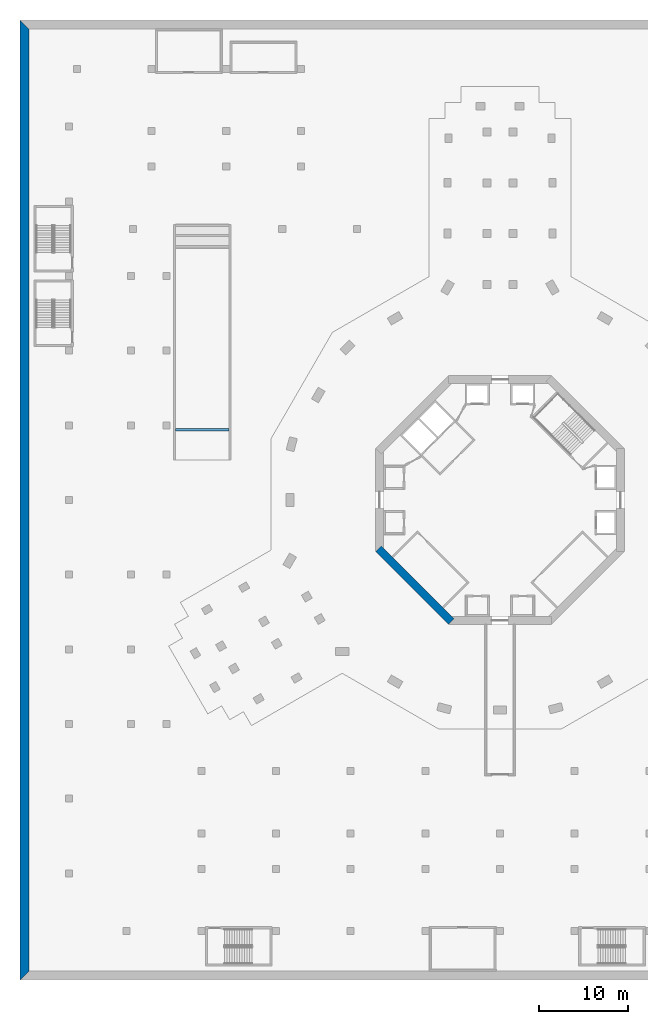
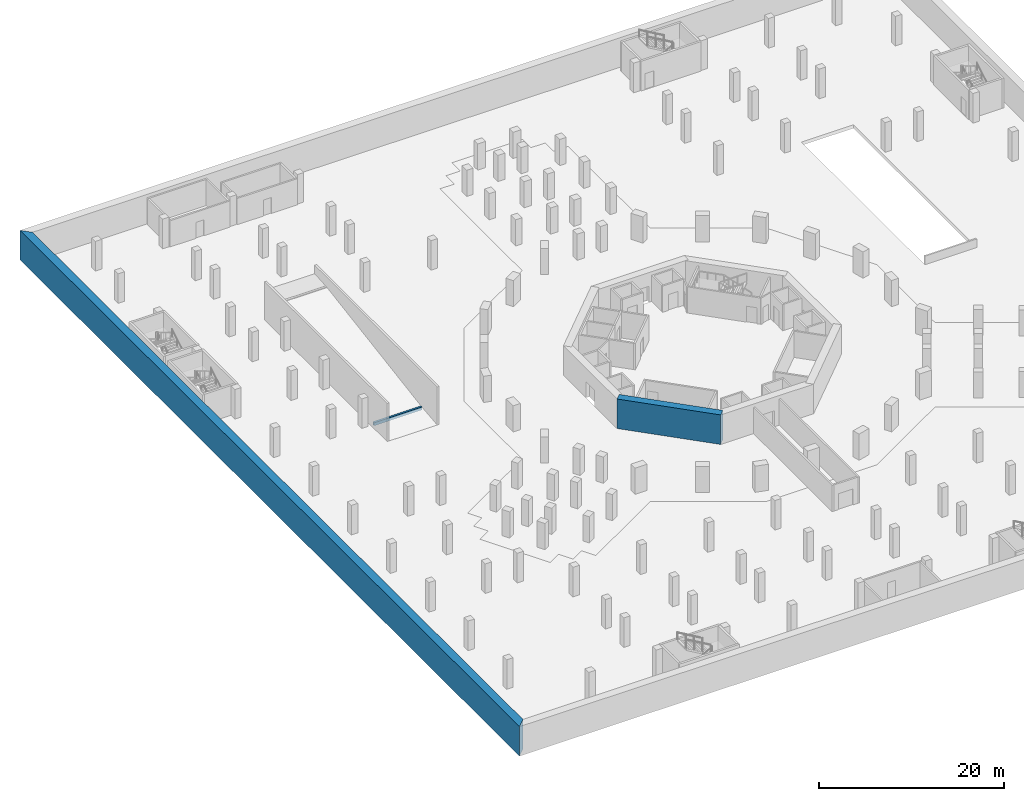
# One storey, part 6 of 25: 3 walls.
"""IFC4 building model written with IfcOpenShell, lengths in metres."""

import ifcopenshell
import ifcopenshell.guid

model = None  # the IFC model being written
_history = None  # IfcOwnerHistory: only IFC2X3 demands one
_inside = {}  # id of a spatial element -> (the spatial element, [elements in it])
_under = {}  # id of a project, library or spatial element -> (it, [spatial elements below it])
_declared = {}  # id of a project -> (the project, [libraries it declares])
_typed = {}  # id of a type object -> (the type object, [elements of that type])
_made_of = {}  # id of a material, layer set ... -> (it, [elements and type objects made of it])


def new_model(schema):
    """Start an empty IFC model of exactly this schema.

    Asked for "IFC4X3", IfcOpenShell would pick the latest addendum, in which some entities
    have other attributes; the version numbers below select the first issue.
    IFC2X3 requires an IfcOwnerHistory on every rooted entity: one is made here for all.
    """
    global model, _history
    if schema == "IFC4X3":
        model = ifcopenshell.file(schema_version=(4, 3, 0, 0))
    else:
        model = ifcopenshell.file(schema=schema)
    _inside.clear()
    _under.clear()
    _declared.clear()
    _typed.clear()
    _made_of.clear()
    _history = None
    if model.schema == "IFC2X3":
        org = make("IfcOrganization", Name="unknown")
        user = make(
            "IfcPersonAndOrganization",
            ThePerson=make("IfcPerson", FamilyName="unknown"),
            TheOrganization=org,
        )
        app = make(
            "IfcApplication",
            ApplicationDeveloper=org,
            Version="unknown",
            ApplicationFullName="unknown",
            ApplicationIdentifier="unknown",
        )
        _history = make(
            "IfcOwnerHistory",
            OwningUser=user,
            OwningApplication=app,
            ChangeAction="ADDED",
            CreationDate=0,
        )
    return model


def make(cls, **values):
    """One entity of the class cls with the attributes given. An attribute that is None is left unset."""
    return model.create_entity(
        cls, **{name: value for name, value in values.items() if value is not None}
    )


def rooted(cls, **values):
    """An entity with a GlobalId (a new one), such as an element, a storey or a relation."""
    return make(cls, GlobalId=ifcopenshell.guid.new(), OwnerHistory=_history, **values)


def si_unit(unit_type, name, prefix=None):
    """IfcSIUnit, for example si_unit("LENGTHUNIT", "METRE", prefix="MILLI")."""
    return make("IfcSIUnit", UnitType=unit_type, Prefix=prefix, Name=name)


def assignment(units):
    """IfcUnitAssignment: the units of a project."""
    return None if units is None else make("IfcUnitAssignment", Units=units)


def point(xyz):
    """IfcCartesianPoint."""
    return None if xyz is None else make("IfcCartesianPoint", Coordinates=xyz)


def direction(xyz):
    """IfcDirection."""
    return None if xyz is None else make("IfcDirection", DirectionRatios=xyz)


def frame(location, z_axis=None, x_axis=None):
    """IfcAxis2Placement3D, a coordinate frame: its origin and axes. An axis left out is left unset."""
    return make(
        "IfcAxis2Placement3D",
        Location=point(location),
        Axis=direction(z_axis),
        RefDirection=direction(x_axis),
    )


def frame_2d(location, x_axis=None):
    """IfcAxis2Placement2D, a coordinate frame in the plane: its origin and x axis."""
    return make(
        "IfcAxis2Placement2D", Location=point(location), RefDirection=direction(x_axis)
    )


def origin():
    """The frame at (0, 0, 0) with its axes left unset."""
    return frame((0.0, 0.0, 0.0))


def place(relative_to, where):
    """IfcLocalPlacement: puts the frame where relative to a parent placement (None: the world)."""
    return make(
        "IfcLocalPlacement", PlacementRelTo=relative_to, RelativePlacement=where
    )


def context(
    kind, dimensions, precision=None, world=None, true_north=None, identifier=None
):
    """IfcGeometricRepresentationContext, for example the 3D "Model" context."""
    return make(
        "IfcGeometricRepresentationContext",
        ContextIdentifier=identifier,
        ContextType=kind,
        CoordinateSpaceDimension=dimensions,
        Precision=precision,
        WorldCoordinateSystem=world,
        TrueNorth=true_north,
    )


def subcontext(parent, identifier, kind, view, scale=None):
    """IfcGeometricRepresentationSubContext, for example "Body" below "Model"."""
    return make(
        "IfcGeometricRepresentationSubContext",
        ContextIdentifier=identifier,
        ContextType=kind,
        ParentContext=parent,
        TargetScale=scale,
        TargetView=view,
    )


def project(units=None, contexts=None):
    """IfcProject with its units and contexts."""
    return rooted(
        "IfcProject",
        Name="project",
        RepresentationContexts=contexts,
        UnitsInContext=assignment(units),
    )


def spatial(cls, under=None, at=None, **own):
    """A site, building, storey or space (cls), placed at a placement, below another one or the project."""
    s = rooted(cls, ObjectPlacement=at, **own)
    if under is not None:
        _under.setdefault(under.id(), (under, []))[1].append(s)
    return s


def polyline(points):
    """IfcPolyline through the points."""
    return make("IfcPolyline", Points=[point(p) for p in points])


def profile(cls, at=None, kind="AREA", **sizes):
    """A parametric profile (cls). Its sizes go by their IFC names, for example OverallWidth=200.0."""
    return make(cls, ProfileType=kind, Position=at, **sizes)


def rectangle(**sizes):
    """IfcRectangleProfileDef."""
    return profile("IfcRectangleProfileDef", **sizes)


def outline(outer, holes=None, kind="AREA"):
    """IfcArbitraryClosedProfileDef: a profile drawn as a closed curve; with holes, ...WithVoids."""
    if holes is None:
        return make("IfcArbitraryClosedProfileDef", ProfileType=kind, OuterCurve=outer)
    return make(
        "IfcArbitraryProfileDefWithVoids",
        ProfileType=kind,
        OuterCurve=outer,
        InnerCurves=holes,
    )


def extrude(swept, where, along, depth):
    """IfcExtrudedAreaSolid: the profile swept, set in the frame where, extruded along a direction by depth."""
    return make(
        "IfcExtrudedAreaSolid",
        SweptArea=swept,
        Position=where,
        ExtrudedDirection=direction(along),
        Depth=depth,
    )


def shape(context_of_items, identifier, shape_type, items):
    """IfcShapeRepresentation: the items that make up one representation, for example the "Body"."""
    return make(
        "IfcShapeRepresentation",
        ContextOfItems=context_of_items,
        RepresentationIdentifier=identifier,
        RepresentationType=shape_type,
        Items=items,
    )


def material(Name=None, Category=None):
    """IfcMaterial."""
    return make("IfcMaterial", Name=Name, Category=Category)


def layer(
    of_material, thickness, ventilated=None, Name=None, Category=None, Priority=None
):
    """IfcMaterialLayer: one layer of a wall or slab, of a material (None: an air gap)."""
    return make(
        "IfcMaterialLayer",
        Material=of_material,
        LayerThickness=thickness,
        IsVentilated=ventilated,
        Name=Name,
        Category=Category,
        Priority=Priority,
    )


def layer_set(layers, Name=None):
    """IfcMaterialLayerSet."""
    return make("IfcMaterialLayerSet", MaterialLayers=layers, LayerSetName=Name)


def made_of(thing, what):
    """Note that an element or type object is made of a material, layer set ...; save() writes the relation."""
    if what is not None:
        _made_of.setdefault(what.id(), (what, []))[1].append(thing)
    return thing


def type_object(cls, material=None, **own):
    """A type object (cls), such as IfcWallType, which elements share."""
    return made_of(rooted(cls, **own), material)


def element(
    cls,
    number,
    at=None,
    inside=None,
    cuts=None,
    type_object=None,
    material=None,
    context=None,
    identifier="Body",
    shape_type=None,
    held_by="IfcProductDefinitionShape",
    body=None,
    shapes=None,
    **own,
):
    """One element of the class cls, such as IfcWall. Its Tag is "e" and its number.

    at: its placement. inside: the storey or other place that contains it. cuts: it is an
    opening in that element (IfcRelVoidsElement). A single representation is given by context,
    identifier, shape_type and body (its items); several are given by shapes. held_by: the class
    of the entity that holds the representations. save() writes the other relations.
    """
    e = rooted(cls, Tag="e%d" % number, ObjectPlacement=at, **own)
    if body is not None:
        shapes = [shape(context, identifier, shape_type, body)]
    if shapes is not None:
        e.Representation = make(held_by, Representations=shapes)
    if inside is not None:
        _inside.setdefault(inside.id(), (inside, []))[1].append(e)
    if cuts is not None:
        rooted(
            "IfcRelVoidsElement", RelatingBuildingElement=cuts, RelatedOpeningElement=e
        )
    if type_object is not None:
        _typed.setdefault(type_object.id(), (type_object, []))[1].append(e)
    return made_of(e, material)


def aggregate(whole, parts):
    """IfcRelAggregates: a whole, such as a stair, and the parts it consists of."""
    return rooted("IfcRelAggregates", RelatingObject=whole, RelatedObjects=parts)


def save(model, path):
    """Write the relations noted so far, then the file.

    IfcRelAggregates (storeys below a building ...), IfcRelContainedInSpatialStructure (elements
    in a storey), IfcRelDefinesByType, IfcRelAssociatesMaterial and IfcRelDeclares: one each for
    every whole, place, type object, material and project.
    """
    for whole, parts in _under.values():
        aggregate(whole, parts)
    for where, things in _inside.values():
        rooted(
            "IfcRelContainedInSpatialStructure",
            RelatedElements=things,
            RelatingStructure=where,
        )
    for kind, things in _typed.values():
        rooted("IfcRelDefinesByType", RelatedObjects=things, RelatingType=kind)
    for what, things in _made_of.values():
        rooted("IfcRelAssociatesMaterial", RelatedObjects=things, RelatingMaterial=what)
    for by, libraries in _declared.values():
        rooted("IfcRelDeclares", RelatingContext=by, RelatedDefinitions=libraries)
    model.write(path)


model = new_model("IFC4")

# Units and contexts
model_context = context("Model", 3, precision=1e-05, world=origin(), true_north=direction((0.0, 1.0)))
body_context = subcontext(model_context, "Body", "Model", "MODEL_VIEW")
ifc_project = project(units=[si_unit("LENGTHUNIT", "METRE"), si_unit("AREAUNIT", "SQUARE_METRE"), si_unit("VOLUMEUNIT", "CUBIC_METRE"), si_unit("PLANEANGLEUNIT", "RADIAN"), si_unit("MASSUNIT", "GRAM", prefix="KILO")], contexts=[model_context])

# Site, building, storey
site_placement = place(None, origin())
site = spatial("IfcSite", under=ifc_project, at=site_placement, CompositionType="ELEMENT")
building_placement = place(site_placement, origin())
building = spatial("IfcBuilding", under=site, at=building_placement, Name="Verdalira Terraces Hotel", CompositionType="ELEMENT")
storey_placement = place(building_placement, frame((0.0, 0.0, -7.800049)))
storey = spatial("IfcBuildingStorey", under=building, at=storey_placement, Name="B2", CompositionType="ELEMENT", Elevation=-7.800048828125)

# Walls
ifc_material_1 = material(Name="Concrete C70", Category="concrete")
ifc_layer_1 = layer(ifc_material_1, 0.89990234375)
ifc_layer_set_1 = layer_set([ifc_layer_1], Name="Core wall 900 C70")
wall_type_1 = type_object("IfcWallType", Name="Core wall 900 C70", PredefinedType="SHEAR", material=ifc_layer_set_1)
wall_1_placement = place(storey_placement, frame((-13.681885, -5.480713, 0.0), z_axis=(0.0, 0.0, 1.0), x_axis=(0.707106781, -0.707106781, 0.0)))
element("IfcWall", 1, at=wall_1_placement, inside=storey, type_object=wall_type_1, Name="Core wall CW-B2-6", PredefinedType="SHEAR", context=body_context, shape_type="SweptSolid", body=[
    extrude(rectangle(XDim=11.598145, YDim=0.899902, at=frame_2d((5.799072, 0.0))), origin(), (0.0, 0.0, 1.0), 3.900146),
])
ifc_material_2 = material(Name="Concrete C40", Category="concrete")
ifc_layer_2 = layer(ifc_material_2, 0.25)
ifc_layer_set_2 = layer_set([ifc_layer_2], Name="Ramp lower joint wall 250 C40")
wall_type_2 = type_object("IfcWallType", Name="Ramp lower joint wall 250 C40", PredefinedType="SOLIDWALL", material=ifc_layer_set_2)
wall_2_placement = place(storey_placement, frame((-30.5, 7.90918, 0.0), z_axis=(0.0, 0.0, 1.0), x_axis=(-1.0, 0.0, 0.0)))
element("IfcWall", 2, at=wall_2_placement, inside=storey, type_object=wall_type_2, Name="Ramp from B1 to B2 lower joint wall", PredefinedType="SOLIDWALL", context=body_context, shape_type="SweptSolid", body=[
    extrude(rectangle(XDim=6.0, YDim=0.25, at=frame_2d((3.0, 0.0))), origin(), (0.0, 0.0, 1.0), 0.395264),
])
ifc_material_3 = material(Name="Concrete C40", Category="concrete")
ifc_layer_3 = layer(ifc_material_3, 1.0)
ifc_layer_set_3 = layer_set([ifc_layer_3], Name="Retaining wall 1000 C40")
wall_type_3 = type_object("IfcWallType", Name="Retaining wall 1000 C40", PredefinedType="SOLIDWALL", material=ifc_layer_set_3)
wall_3_placement = place(storey_placement, origin())
element("IfcWall", 3, at=wall_3_placement, inside=storey, type_object=wall_type_3, Name="Retaining wall B2 side 2", PredefinedType="SOLIDWALL", context=body_context, shape_type="SweptSolid", body=[
    extrude(outline(polyline([(-54.0, 54.0), (-54.0, -54.0), (-53.0, -53.0), (-53.0, 53.0), (-54.0, 54.0)])), origin(), (0.0, 0.0, 1.0), 3.900146),
])

save(model, "model.ifc")
